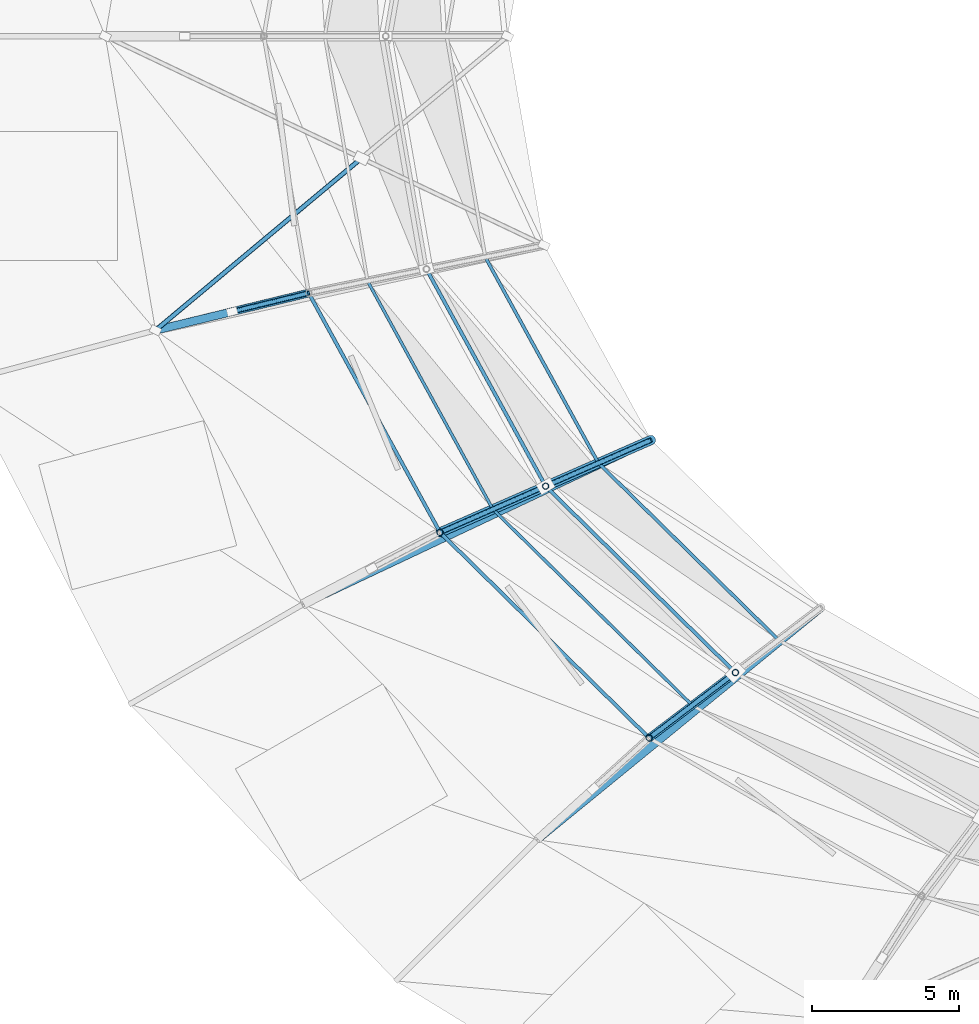
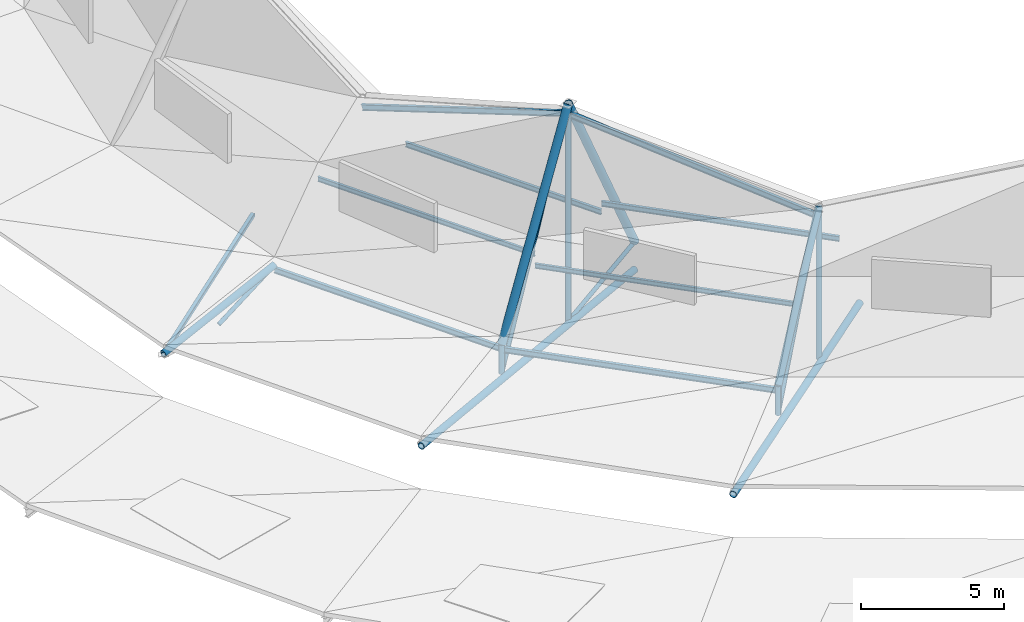
# One storey, part 6 of 36: 21 members, 2 beams.
"""IFC4 building model written with IfcOpenShell, lengths in metres."""

from ifc_helpers import new_model, si_unit, direction, frame, origin, origin_2d, place, context, subcontext, project, spatial, hollow_rectangle, hollow_circle, i_section, extrude, material, material_profile, profile_set, type_object, element, save


model = new_model("IFC4")

# Units and contexts
model_context = context("Model", 3, precision=1e-05, world=origin(), true_north=direction((0.0, 1.0)))
body_context = subcontext(model_context, "Body", "Model", "MODEL_VIEW")
ifc_project = project(units=[si_unit("LENGTHUNIT", "METRE"), si_unit("AREAUNIT", "SQUARE_METRE"), si_unit("VOLUMEUNIT", "CUBIC_METRE"), si_unit("PLANEANGLEUNIT", "RADIAN"), si_unit("MASSUNIT", "GRAM", prefix="KILO")], contexts=[model_context])

# Site, building, storey
site_placement = place(None, origin())
site = spatial("IfcSite", under=ifc_project, at=site_placement, CompositionType="ELEMENT")
building_placement = place(site_placement, origin())
building = spatial("IfcBuilding", under=site, at=building_placement, Name="Kildeholm Park Wholesale Market", CompositionType="ELEMENT")
storey_placement = place(building_placement, frame((0.0, 0.0, 17.39990234375)))
storey = spatial("IfcBuildingStorey", under=building, at=storey_placement, Name="Roof", CompositionType="ELEMENT", Elevation=17.39990234375)

# Beams
ifc_material = material(Name="Steel S355", Category="steel")
ifc_material_profile_1 = material_profile(ifc_material, hollow_circle(Radius=0.136474609375, WallThickness=0.01611328125, at=origin_2d()), Name="CHS 273x16")
ifc_profile_set_1 = profile_set([ifc_material_profile_1], Name="Steel S355")
beam_type = type_object("IfcBeamType", Name="Beam B-T01 CHS 273x16", PredefinedType="BEAM", material=ifc_profile_set_1)
beam_1_placement = place(storey_placement, frame((55.52587890625, 70.14990234375, -4.6298828125), z_axis=(0.904317894242, 0.426859632846, 0.0), x_axis=(-0.426859632846, 0.904317894242, 0.0)))
element("IfcBeam", 1, at=beam_1_placement, inside=storey, type_object=beam_type, Name="Beam BM-V1-TIE-14 BM-0308", PredefinedType="BEAM", context=body_context, shape_type="SweptSolid", body=[
    extrude(hollow_circle(Radius=0.136474609375, WallThickness=0.01611328125, at=origin_2d()), origin(), (0.0, 0.0, 1.0), 13.119384765625),
])
beam_2_placement = place(storey_placement, frame((63.5029296875, 62.135009765625, -4.6298828125), z_axis=(0.774216280002, 0.632921126034, 0.0), x_axis=(-0.632921126034, 0.774216280002, 0.0)))
element("IfcBeam", 2, at=beam_2_placement, inside=storey, type_object=beam_type, Name="Beam BM-V1-TIE-15 BM-0314", PredefinedType="BEAM", context=body_context, shape_type="SweptSolid", body=[
    extrude(hollow_circle(Radius=0.136474609375, WallThickness=0.01611328125, at=origin_2d()), origin(), (0.0, 0.0, 1.0), 12.51318359375),
])

# Members
ifc_material_profile_2 = material_profile(ifc_material, i_section(OverallWidth=0.10009765625, OverallDepth=0.199951171875, WebThickness=0.005615234375, FlangeThickness=0.008544921875, FilletRadius=0.011962890625, at=origin_2d()), Name="IPE 200")
ifc_profile_set_2 = profile_set([ifc_material_profile_2], Name="Steel S355")
member_type_1 = type_object("IfcMemberType", Name="Member PR-01 IPE 200", PredefinedType="PURLIN", material=ifc_profile_set_2)
member_1_placement = place(storey_placement, frame((57.7314453125, 81.159423828125, -0.652099609375), z_axis=(0.481311912793, -0.876549395415, 0.0), x_axis=(0.876549395415, 0.481311912793, 0.0)))
element("IfcMember", 3, at=member_1_placement, inside=storey, type_object=member_type_1, Name="Member PR-V1-MDO-13 MEM-0179", PredefinedType="PURLIN", context=body_context, shape_type="SweptSolid", body=[
    extrude(i_section(OverallWidth=0.10009765625, OverallDepth=0.199951171875, WebThickness=0.005615234375, FlangeThickness=0.008544921875, FilletRadius=0.011962890625, at=origin_2d()), origin(), (0.0, 0.0, 1.0), 8.866455078125),
])
member_2_placement = place(storey_placement, frame((61.9990234375, 73.387451171875, -1.144775390625), z_axis=(0.713234317827, -0.70092567928, 0.0), x_axis=(0.70092567928, 0.713234317827, 0.0)))
element("IfcMember", 4, at=member_2_placement, inside=storey, type_object=member_type_1, Name="Member PR-V1-MDO-14 MEM-0191", PredefinedType="PURLIN", context=body_context, shape_type="SweptSolid", body=[
    extrude(i_section(OverallWidth=0.10009765625, OverallDepth=0.199951171875, WebThickness=0.005615234375, FlangeThickness=0.008544921875, FilletRadius=0.011962890625, at=origin_2d()), origin(), (0.0, 0.0, 1.0), 9.520751953125),
])
ifc_material_profile_3 = material_profile(ifc_material, i_section(OverallWidth=0.1201171875, OverallDepth=0.239990234375, WebThickness=0.006103515625, FlangeThickness=0.009765625, FilletRadius=0.014892578125, at=origin_2d()), Name="IPE 240")
ifc_profile_set_3 = profile_set([ifc_material_profile_3], Name="Steel S355")
member_type_2 = type_object("IfcMemberType", Name="Member PR-02 IPE 240", PredefinedType="PURLIN", material=ifc_profile_set_3)
member_3_placement = place(storey_placement, frame((55.72705078125, 80.751953125, -3.587158203125), z_axis=(0.481203038707, -0.876609169208, 0.0), x_axis=(0.876609169208, 0.481203038707, 0.0)))
element("IfcMember", 5, at=member_3_placement, inside=storey, type_object=member_type_2, Name="Member PR-V1-STP2-13 MEM-0177", PredefinedType="PURLIN", context=body_context, shape_type="SweptSolid", body=[
    extrude(i_section(OverallWidth=0.1201171875, OverallDepth=0.239990234375, WebThickness=0.006103515625, FlangeThickness=0.009765625, FilletRadius=0.014892578125, at=origin_2d()), origin(), (0.0, 0.0, 1.0), 9.29931640625),
])
member_4_placement = place(storey_placement, frame((59.736083984375, 81.56689453125, 1.45263671875), z_axis=(0.456875430623, -0.831849023572, 0.315106399292), x_axis=(0.876501192801, 0.481399687389, 0.0)))
element("IfcMember", 6, at=member_4_placement, inside=storey, type_object=member_type_2, Name="Member PR-V1-CRWN-13 MEM-0178", PredefinedType="PURLIN", context=body_context, shape_type="SweptSolid", body=[
    extrude(i_section(OverallWidth=0.1201171875, OverallDepth=0.239990234375, WebThickness=0.006103515625, FlangeThickness=0.009765625, FilletRadius=0.014892578125, at=origin_2d()), origin(), (0.0, 0.0, 1.0), 8.885986328125),
])
member_5_placement = place(storey_placement, frame((60.201904296875, 72.60009765625, -3.60888671875), z_axis=(0.713096204455, -0.701066190307, 0.0), x_axis=(0.701066190307, 0.713096204455, 0.0)))
element("IfcMember", 7, at=member_5_placement, inside=storey, type_object=member_type_2, Name="Member PR-V1-STP2-14 MEM-0189", PredefinedType="PURLIN", context=body_context, shape_type="SweptSolid", body=[
    extrude(i_section(OverallWidth=0.1201171875, OverallDepth=0.239990234375, WebThickness=0.006103515625, FlangeThickness=0.009765625, FilletRadius=0.014892578125, at=origin_2d()), origin(), (0.0, 0.0, 1.0), 9.98486328125),
])
member_6_placement = place(storey_placement, frame((63.7958984375, 74.175048828125, 4.237060546875), z_axis=(0.681546796867, -0.669520257886, -0.295358405942), x_axis=(0.700784698556, 0.713372838191, 0.0)))
element("IfcMember", 8, at=member_6_placement, inside=storey, type_object=member_type_2, Name="Member PR-V1-CRWN-14 MEM-0190", PredefinedType="PURLIN", context=body_context, shape_type="SweptSolid", body=[
    extrude(i_section(OverallWidth=0.1201171875, OverallDepth=0.239990234375, WebThickness=0.006103515625, FlangeThickness=0.009765625, FilletRadius=0.014892578125, at=origin_2d()), origin(), (0.0, 0.0, 1.0), 9.480224609375),
])
ifc_material_profile_4 = material_profile(ifc_material, i_section(OverallWidth=0.110107421875, OverallDepth=0.219970703125, WebThickness=0.005859375, FlangeThickness=0.00927734375, FilletRadius=0.011962890625, at=origin_2d()), Name="IPE 220")
ifc_profile_set_4 = profile_set([ifc_material_profile_4], Name="Steel S355")
member_type_3 = type_object("IfcMemberType", Name="Member PR-03 IPE 220", PredefinedType="PURLIN", material=ifc_profile_set_4)
member_7_placement = place(storey_placement, frame((61.739990234375, 81.974609375, -1.0673828125), z_axis=(0.481564964074, -0.876410397803, 0.0), x_axis=(0.876410397803, 0.481564964074, 0.0)))
element("IfcMember", 9, at=member_7_placement, inside=storey, type_object=member_type_3, Name="Member PR-V1-MDI-13 MEM-0180", PredefinedType="PURLIN", context=body_context, shape_type="SweptSolid", body=[
    extrude(i_section(OverallWidth=0.110107421875, OverallDepth=0.219970703125, WebThickness=0.005859375, FlangeThickness=0.00927734375, FilletRadius=0.011962890625, at=origin_2d()), origin(), (0.0, 0.0, 1.0), 8.0009765625),
])
member_8_placement = place(storey_placement, frame((65.593017578125, 74.96240234375, -0.69970703125), z_axis=(0.713484428473, -0.700671085693, 0.0), x_axis=(0.700671085693, 0.713484428473, 0.0)))
element("IfcMember", 10, at=member_8_placement, inside=storey, type_object=member_type_3, Name="Member PR-V1-MDI-14 MEM-0192", PredefinedType="PURLIN", context=body_context, shape_type="SweptSolid", body=[
    extrude(i_section(OverallWidth=0.110107421875, OverallDepth=0.219970703125, WebThickness=0.005859375, FlangeThickness=0.00927734375, FilletRadius=0.011962890625, at=origin_2d()), origin(), (0.0, 0.0, 1.0), 8.59326171875),
])
ifc_material_profile_5 = material_profile(ifc_material, hollow_circle(Radius=0.084228515625, WallThickness=0.010009765625, at=origin_2d()), Name="CHS 168.3x10")
ifc_profile_set_5 = profile_set([ifc_material_profile_5], Name="Steel S355")
member_type_4 = type_object("IfcMemberType", Name="Member TB-01 CHS 168.3x10", PredefinedType="BRACE", material=ifc_profile_set_5)
member_9_placement = place(storey_placement, frame((53.118896484375, 80.117919921875, -4.6298828125), z_axis=(0.882118272304, 0.214439872056, 0.419383946928), x_axis=(-0.23621695959, 0.971700338583, 0.0)))
element("IfcMember", 11, at=member_9_placement, inside=storey, type_object=member_type_4, Name="Member TR-V1-13-WB1 MEM-0174", PredefinedType="BRACE", context=body_context, shape_type="SweptSolid", body=[
    extrude(hollow_circle(Radius=0.084228515625, WallThickness=0.010009765625, at=origin_2d()), origin(), (0.0, 0.0, 1.0), 2.956787109375),
])
member_10_placement = place(storey_placement, frame((60.201904296875, 72.60009765625, -4.6298828125), z_axis=(0.356379261851, 0.156171633598, 0.921197178992), x_axis=(-0.401370362449, 0.915915843376, 0.0)))
element("IfcMember", 12, at=member_10_placement, inside=storey, type_object=member_type_4, Name="Member TR-V1-14-WB2 MEM-0187", PredefinedType="BRACE", context=body_context, shape_type="SweptSolid", body=[
    extrude(hollow_circle(Radius=0.084228515625, WallThickness=0.010009765625, at=origin_2d()), origin(), (0.0, 0.0, 1.0), 10.084716796875),
])
member_11_placement = place(storey_placement, frame((63.7958984375, 74.175048828125, -4.6298828125), z_axis=(0.87649984614, 0.384097582192, 0.290201769587), x_axis=(-0.401370362449, 0.915915843376, 0.0)))
element("IfcMember", 13, at=member_11_placement, inside=storey, type_object=member_type_4, Name="Member TR-V1-14-WB3 MEM-0188", PredefinedType="BRACE", context=body_context, shape_type="SweptSolid", body=[
    extrude(hollow_circle(Radius=0.084228515625, WallThickness=0.010009765625, at=origin_2d()), origin(), (0.0, 0.0, 1.0), 4.100341796875),
])
member_12_placement = place(storey_placement, frame((67.322021484375, 65.60009765625, -4.6298828125), z_axis=(0.393277128214, 0.298507219677, 0.869612868019), x_axis=(-0.604590931653, 0.796536129352, 0.0)))
element("IfcMember", 14, at=member_12_placement, inside=storey, type_object=member_type_4, Name="Member TR-V1-15-WB2 MEM-0199", PredefinedType="BRACE", context=body_context, shape_type="SweptSolid", body=[
    extrude(hollow_circle(Radius=0.084228515625, WallThickness=0.010009765625, at=origin_2d()), origin(), (0.0, 0.0, 1.0), 7.463134765625),
])
ifc_material_profile_6 = material_profile(ifc_material, hollow_circle(Radius=0.109619140625, WallThickness=0.012451171875, at=origin_2d()), Name="CHS 219.1x12.5")
ifc_profile_set_6 = profile_set([ifc_material_profile_6], Name="Steel S355")
member_type_5 = type_object("IfcMemberType", Name="Member TB-02 CHS 219.1x12.5", PredefinedType="BRACE", material=ifc_profile_set_6)
member_13_placement = place(storey_placement, frame((60.201904296875, 72.60009765625, -4.6298828125), z_axis=(0.0, 0.0, 1.0), x_axis=(1.0, 0.0, 0.0)))
element("IfcMember", 15, at=member_13_placement, inside=storey, type_object=member_type_5, Name="Member TR-V1-14-VT1 MEM-0184", PredefinedType="BRACE", context=body_context, shape_type="SweptSolid", body=[
    extrude(hollow_circle(Radius=0.109619140625, WallThickness=0.012451171875, at=origin_2d()), origin(), (0.0, 0.0, 1.0), 1.239990234375),
])
member_14_placement = place(storey_placement, frame((63.7958984375, 74.175048828125, -4.6298828125), z_axis=(0.0, 0.0, 1.0), x_axis=(1.0, 0.0, 0.0)))
element("IfcMember", 16, at=member_14_placement, inside=storey, type_object=member_type_5, Name="Member TR-V1-14-VT2 MEM-0185", PredefinedType="BRACE", context=body_context, shape_type="SweptSolid", body=[
    extrude(hollow_circle(Radius=0.109619140625, WallThickness=0.012451171875, at=origin_2d()), origin(), (0.0, 0.0, 1.0), 9.2900390625),
])
member_15_placement = place(storey_placement, frame((67.322021484375, 65.60009765625, -4.6298828125), z_axis=(0.0, 0.0, 1.0), x_axis=(1.0, 0.0, 0.0)))
element("IfcMember", 17, at=member_15_placement, inside=storey, type_object=member_type_5, Name="Member TR-V1-15-VT1 MEM-0196", PredefinedType="BRACE", context=body_context, shape_type="SweptSolid", body=[
    extrude(hollow_circle(Radius=0.109619140625, WallThickness=0.012451171875, at=origin_2d()), origin(), (0.0, 0.0, 1.0), 1.239990234375),
])
member_16_placement = place(storey_placement, frame((70.257080078125, 67.827880859375, -4.6298828125), z_axis=(0.0, 0.0, 1.0), x_axis=(1.0, 0.0, 0.0)))
element("IfcMember", 18, at=member_16_placement, inside=storey, type_object=member_type_5, Name="Member TR-V1-15-VT2 MEM-0197", PredefinedType="BRACE", context=body_context, shape_type="SweptSolid", body=[
    extrude(hollow_circle(Radius=0.109619140625, WallThickness=0.012451171875, at=origin_2d()), origin(), (0.0, 0.0, 1.0), 6.489990234375),
])
ifc_material_profile_7 = material_profile(ifc_material, hollow_rectangle(XDim=0.159912109375, YDim=0.159912109375, WallThickness=0.010009765625, InnerFilletRadius=0.010009765625, OuterFilletRadius=0.02001953125, at=origin_2d()), Name="SHS 160x160x10")
ifc_profile_set_7 = profile_set([ifc_material_profile_7], Name="Steel S355")
member_type_6 = type_object("IfcMemberType", Name="Member TB-04 SHS 160x160x10", PredefinedType="BRACE", material=ifc_profile_set_7)
member_17_placement = place(storey_placement, frame((50.510986328125, 79.48388671875, -4.6298828125), z_axis=(0.767422431647, 0.641141802884, 0.0), x_axis=(-0.641141802884, 0.767422431647, 0.0)))
element("IfcMember", 19, at=member_17_placement, inside=storey, type_object=member_type_6, Name="Member BR-V1-RF-12-2A MEM-0167", PredefinedType="BRACE", context=body_context, shape_type="SweptSolid", body=[
    extrude(hollow_rectangle(XDim=0.159912109375, YDim=0.159912109375, WallThickness=0.010009765625, InnerFilletRadius=0.010009765625, OuterFilletRadius=0.02001953125, at=origin_2d()), origin(), (0.0, 0.0, 1.0), 9.10009765625),
])
ifc_material_profile_8 = material_profile(ifc_material, hollow_circle(Radius=0.161865234375, WallThickness=0.01611328125, at=origin_2d()), Name="CHS 323.9x16")
ifc_profile_set_8 = profile_set([ifc_material_profile_8], Name="Steel S355")
member_type_7 = type_object("IfcMemberType", Name="Member TC-01 CHS 323.9x16", PredefinedType="CHORD", material=ifc_profile_set_8)
member_18_placement = place(storey_placement, frame((60.201904296875, 72.60009765625, -3.389892578125), z_axis=(0.401318045198, 0.175864595447, 0.898896807574), x_axis=(-0.401370362449, 0.915915843376, 0.0)))
element("IfcMember", 20, at=member_18_placement, inside=storey, type_object=member_type_7, Name="Member TR-V1-14-TC2 MEM-0182", PredefinedType="CHORD", context=body_context, shape_type="SweptSolid", body=[
    extrude(hollow_circle(Radius=0.161865234375, WallThickness=0.01611328125, at=origin_2d()), origin(), (0.0, 0.0, 1.0), 8.95556640625),
])
member_19_placement = place(storey_placement, frame((63.7958984375, 74.175048828125, 4.66015625), z_axis=(0.399310875787, 0.174985018661, -0.899961703476), x_axis=(-0.401370362449, 0.915915843376, 0.0)))
element("IfcMember", 21, at=member_19_placement, inside=storey, type_object=member_type_7, Name="Member TR-V1-14-TC3 MEM-0183", PredefinedType="CHORD", context=body_context, shape_type="SweptSolid", body=[
    extrude(hollow_circle(Radius=0.161865234375, WallThickness=0.01611328125, at=origin_2d()), origin(), (0.0, 0.0, 1.0), 9.00048828125),
])
ifc_material_profile_9 = material_profile(ifc_material, hollow_circle(Radius=0.136474609375, WallThickness=0.01611328125, at=origin_2d()), Name="CHS 273x16")
ifc_profile_set_9 = profile_set([ifc_material_profile_9], Name="Steel S355")
member_type_8 = type_object("IfcMemberType", Name="Member TC-02 CHS 273x16", PredefinedType="CHORD", material=ifc_profile_set_9)
member_20_placement = place(storey_placement, frame((50.510986328125, 79.48388671875, -4.579833984375), z_axis=(0.948668918069, 0.230628895879, 0.216419953507), x_axis=(-0.236227398885, 0.971697800767, 0.0)))
element("IfcMember", 22, at=member_20_placement, inside=storey, type_object=member_type_8, Name="Member TR-V1-13-TC1 MEM-0169", PredefinedType="CHORD", context=body_context, shape_type="SweptSolid", body=[
    extrude(hollow_circle(Radius=0.136474609375, WallThickness=0.01611328125, at=origin_2d()), origin(), (0.0, 0.0, 1.0), 5.498291015625),
])
member_21_placement = place(storey_placement, frame((67.322021484375, 65.60009765625, -3.389892578125), z_axis=(0.45759805838, 0.347328421454, 0.818515109584), x_axis=(-0.604590931653, 0.796536129352, 0.0)))
element("IfcMember", 23, at=member_21_placement, inside=storey, type_object=member_type_8, Name="Member TR-V1-15-TC2 MEM-0194", PredefinedType="CHORD", context=body_context, shape_type="SweptSolid", body=[
    extrude(hollow_circle(Radius=0.136474609375, WallThickness=0.01611328125, at=origin_2d()), origin(), (0.0, 0.0, 1.0), 6.4140625),
])

save(model, "model.ifc")
